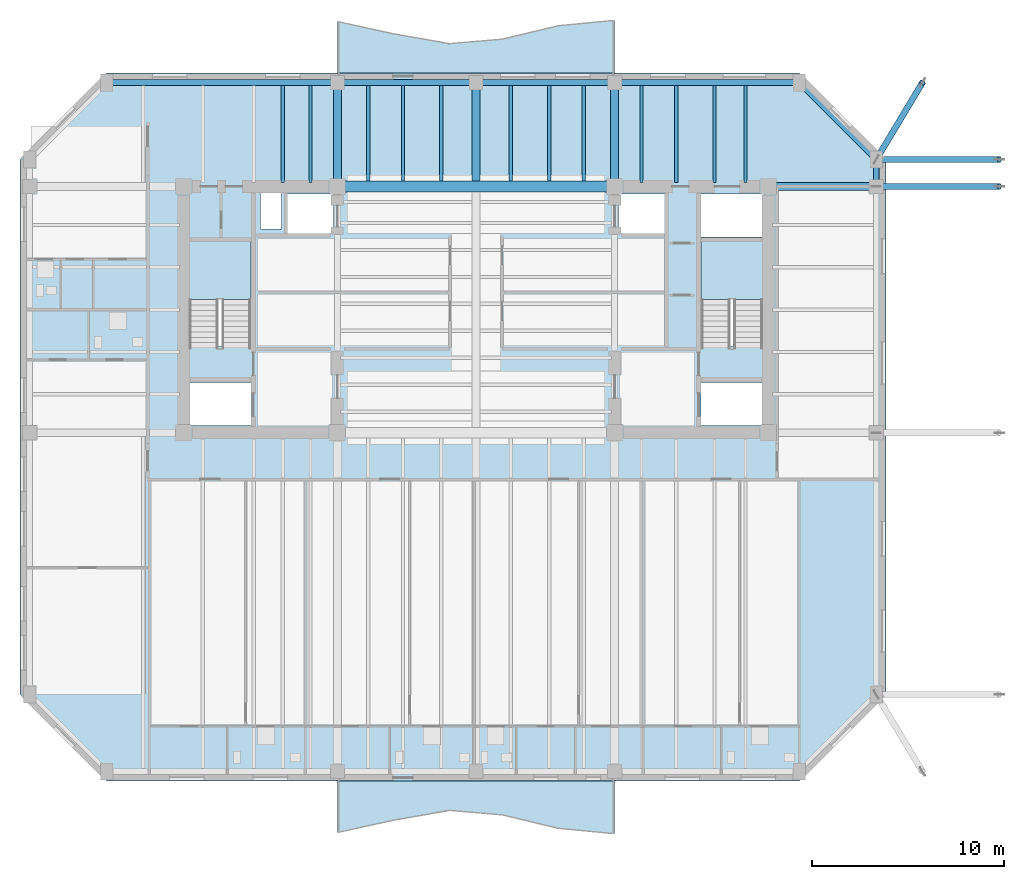
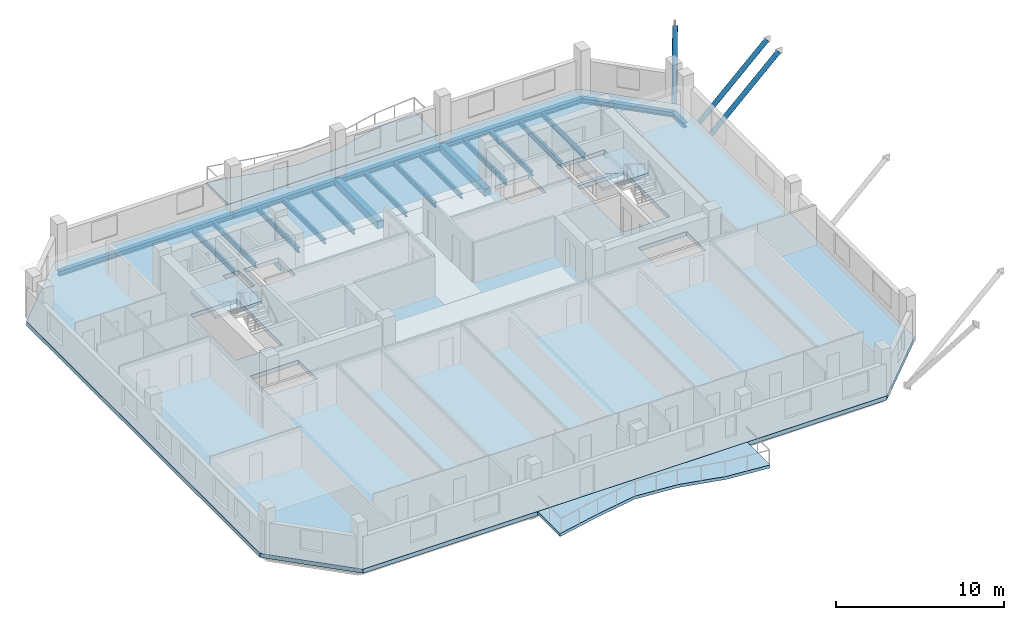
# One storey, part 2 of 12: 23 beams, 5 slabs, 3 members, 2 elements without a shape of their own.
"""IFC4 building model written with IfcOpenShell, lengths in metres."""

from ifc_helpers import new_model, si_unit, direction, frame, origin, origin_2d, place, context, subcontext, project, spatial, polyline, rectangle, hollow_circle, i_section, outline, extrude, material, layer, layer_set, material_profile, profile_set, type_object, element, aggregate, save


model = new_model("IFC4")

# Units and contexts
model_context = context("Model", 3, precision=1e-05, world=origin(), true_north=direction((0.0, 1.0)))
body_context = subcontext(model_context, "Body", "Model", "MODEL_VIEW")
ifc_project = project(units=[si_unit("LENGTHUNIT", "METRE"), si_unit("AREAUNIT", "SQUARE_METRE"), si_unit("VOLUMEUNIT", "CUBIC_METRE"), si_unit("PLANEANGLEUNIT", "RADIAN"), si_unit("MASSUNIT", "GRAM", prefix="KILO")], contexts=[model_context])

# Site, building, storey
site_placement = place(None, origin())
site = spatial("IfcSite", under=ifc_project, at=site_placement, CompositionType="ELEMENT")
building_placement = place(site_placement, origin())
building = spatial("IfcBuilding", under=site, at=building_placement, Name="Kranthara Brick Stack", CompositionType="ELEMENT")
storey_placement = place(building_placement, frame((0.0, 0.0, 224.5)))
storey = spatial("IfcBuildingStorey", under=building, at=storey_placement, Name="L58", CompositionType="ELEMENT", Elevation=224.5)

# Beams
ifc_material_1 = material(Name="Concrete C50/60", Category="concrete")
ifc_material_profile_1 = material_profile(ifc_material_1, rectangle(XDim=0.550048828125, YDim=0.85009765625, at=origin_2d()), Name="RC 550x850")
ifc_profile_set_1 = profile_set([ifc_material_profile_1], Name="Concrete C50/60")
beam_type_1 = type_object("IfcBeamType", Name="BM-CPL-RC850", PredefinedType="LINTEL", material=ifc_profile_set_1)
beam_1_placement = place(storey_placement, frame((20.800048828125, 33.60009765625, -0.72509765625), z_axis=(1.0, 0.0, 0.0), x_axis=(0.0, 1.0, 0.0)))
element("IfcBeam", 1, at=beam_1_placement, inside=storey, type_object=beam_type_1, Name="L58 Core Coupling Beam 002", PredefinedType="LINTEL", context=body_context, shape_type="SweptSolid", body=[
    extrude(rectangle(XDim=0.550048828125, YDim=0.85009765625, at=origin_2d()), origin(), (0.0, 0.0, 1.0), 14.39990234375),
])
ifc_material_2 = material(Name="Post-tensioned concrete C45/55", Category="concrete")
ifc_material_profile_2 = material_profile(ifc_material_2, rectangle(XDim=0.39990234375, YDim=0.550048828125, at=origin_2d()), Name="PT 400x550")
ifc_profile_set_2 = profile_set([ifc_material_profile_2], Name="Post-tensioned concrete C45/55")
beam_type_2 = type_object("IfcBeamType", Name="BM-FLR-PT550", PredefinedType="BEAM", material=ifc_profile_set_2)
beam_2_placement = place(storey_placement, frame((20.800048828125, 33.60009765625, -0.574951171875), z_axis=(0.0, 1.0, 0.0), x_axis=(-1.0, 0.0, 0.0)))
element("IfcBeam", 2, at=beam_2_placement, inside=storey, type_object=beam_type_2, Name="L58 Primary Grid Girder 024", PredefinedType="BEAM", context=body_context, shape_type="SweptSolid", body=[
    extrude(rectangle(XDim=0.39990234375, YDim=0.550048828125, at=origin_2d()), origin(), (0.0, 0.0, 1.0), 5.39990234375),
])
beam_3_placement = place(storey_placement, frame((28.0, 33.875, -0.574951171875), z_axis=(0.0, 1.0, 0.0), x_axis=(-1.0, 0.0, 0.0)))
element("IfcBeam", 3, at=beam_3_placement, inside=storey, type_object=beam_type_2, Name="L58 Primary Grid Girder 027", PredefinedType="BEAM", context=body_context, shape_type="SweptSolid", body=[
    extrude(rectangle(XDim=0.39990234375, YDim=0.550048828125, at=origin_2d()), origin(), (0.0, 0.0, 1.0), 5.125),
])
beam_4_placement = place(storey_placement, frame((35.199951171875, 33.60009765625, -0.574951171875), z_axis=(0.0, 1.0, 0.0), x_axis=(-1.0, 0.0, 0.0)))
element("IfcBeam", 4, at=beam_4_placement, inside=storey, type_object=beam_type_2, Name="L58 Primary Grid Girder 029", PredefinedType="BEAM", context=body_context, shape_type="SweptSolid", body=[
    extrude(rectangle(XDim=0.39990234375, YDim=0.550048828125, at=origin_2d()), origin(), (0.0, 0.0, 1.0), 5.39990234375),
])
beam_5_placement = place(storey_placement, frame((43.199951171875, 33.60009765625, -0.574951171875), z_axis=(1.0, 0.0, 0.0), x_axis=(0.0, 1.0, 0.0)))
element("IfcBeam", 5, at=beam_5_placement, inside=storey, type_object=beam_type_2, Name="L58 Primary Grid Girder 033", PredefinedType="BEAM", context=body_context, shape_type="SweptSolid", body=[
    extrude(rectangle(XDim=0.39990234375, YDim=0.550048828125, at=origin_2d()), origin(), (0.0, 0.0, 1.0), 5.60009765625),
])
ifc_material_3 = material(Name="Steel S355", Category="steel")
ifc_material_profile_3 = material_profile(ifc_material_3, i_section(OverallWidth=0.169921875, OverallDepth=0.360107421875, WebThickness=0.008056640625, FlangeThickness=0.0126953125, at=origin_2d()), Name="IPE 360")
ifc_profile_set_3 = profile_set([ifc_material_profile_3], Name="Steel S355")
beam_type_3 = type_object("IfcBeamType", Name="BM-JST-IPE360", PredefinedType="JOIST", material=ifc_profile_set_3)
for number, where, z_axis, x_axis, name in (
    (6, (17.949951171875, 33.800048828125, -0.47998046875), (0.0, 1.0, 0.0), (-1.0, 0.0, 0.0), "L58 North Wing Floor Joist 059"),
    (7, (19.39990234375, 33.800048828125, -0.47998046875), (0.0, 1.0, 0.0), (-1.0, 0.0, 0.0), "L58 North Wing Floor Joist 061"),
):
    element("IfcBeam", number, at=place(storey_placement, frame(where, z_axis=z_axis, x_axis=x_axis)), inside=storey, type_object=beam_type_3, Name=name, PredefinedType="JOIST", context=body_context, shape_type="SweptSolid", body=[
        extrude(i_section(OverallWidth=0.169921875, OverallDepth=0.360107421875, WebThickness=0.008056640625, FlangeThickness=0.0126953125, at=origin_2d()), origin(), (0.0, 0.0, 1.0), 5.050048828125),
    ])
for number, where, z_axis, x_axis, name in (
    (8, (22.39990234375, 33.875, -0.47998046875), (0.0, 1.0, 0.0), (-1.0, 0.0, 0.0), "L58 North Wing Floor Joist 063"),
    (9, (24.199951171875, 33.875, -0.47998046875), (0.0, 1.0, 0.0), (-1.0, 0.0, 0.0), "L58 North Wing Floor Joist 065"),
    (10, (26.199951171875, 33.875, -0.47998046875), (0.0, 1.0, 0.0), (-1.0, 0.0, 0.0), "L58 North Wing Floor Joist 067"),
    (11, (29.800048828125, 33.875, -0.47998046875), (0.0, 1.0, 0.0), (-1.0, 0.0, 0.0), "L58 North Wing Floor Joist 069"),
    (12, (31.800048828125, 33.875, -0.47998046875), (0.0, 1.0, 0.0), (-1.0, 0.0, 0.0), "L58 North Wing Floor Joist 071"),
    (13, (33.60009765625, 33.875, -0.47998046875), (0.0, 1.0, 0.0), (-1.0, 0.0, 0.0), "L58 North Wing Floor Joist 073"),
):
    element("IfcBeam", number, at=place(storey_placement, frame(where, z_axis=z_axis, x_axis=x_axis)), inside=storey, type_object=beam_type_3, Name=name, PredefinedType="JOIST", context=body_context, shape_type="SweptSolid", body=[
        extrude(i_section(OverallWidth=0.169921875, OverallDepth=0.360107421875, WebThickness=0.008056640625, FlangeThickness=0.0126953125, at=origin_2d()), origin(), (0.0, 0.0, 1.0), 4.97509765625),
    ])
for number, where, z_axis, x_axis, name in (
    (14, (36.60009765625, 33.800048828125, -0.47998046875), (0.0, 1.0, 0.0), (-1.0, 0.0, 0.0), "L58 North Wing Floor Joist 075"),
    (15, (38.39990234375, 33.800048828125, -0.47998046875), (0.0, 1.0, 0.0), (-1.0, 0.0, 0.0), "L58 North Wing Floor Joist 077"),
    (16, (40.39990234375, 33.800048828125, -0.47998046875), (0.0, 1.0, 0.0), (-1.0, 0.0, 0.0), "L58 North Wing Floor Joist 079"),
    (17, (42.0, 33.800048828125, -0.47998046875), (0.0, 1.0, 0.0), (-1.0, 0.0, 0.0), "L58 North Wing Floor Joist 081"),
):
    element("IfcBeam", number, at=place(storey_placement, frame(where, z_axis=z_axis, x_axis=x_axis)), inside=storey, type_object=beam_type_3, Name=name, PredefinedType="JOIST", context=body_context, shape_type="SweptSolid", body=[
        extrude(i_section(OverallWidth=0.169921875, OverallDepth=0.360107421875, WebThickness=0.008056640625, FlangeThickness=0.0126953125, at=origin_2d()), origin(), (0.0, 0.0, 1.0), 5.050048828125),
    ])
ifc_material_4 = material(Name="Steel S355", Category="steel")
ifc_material_profile_4 = material_profile(ifc_material_4, i_section(OverallWidth=0.300048828125, OverallDepth=0.360107421875, WebThickness=0.012451171875, FlangeThickness=0.0224609375, at=origin_2d()), Name="HEB 360")
ifc_profile_set_4 = profile_set([ifc_material_profile_4], Name="Steel S355")
beam_type_4 = type_object("IfcBeamType", Name="BM-STL-HEB360", PredefinedType="SPANDREL", material=ifc_profile_set_4)
beam_6_placement = place(storey_placement, frame((8.800048828125, 39.0, -0.47998046875), z_axis=(1.0, 0.0, 0.0), x_axis=(0.0, 1.0, 0.0)))
element("IfcBeam", 18, at=beam_6_placement, inside=storey, type_object=beam_type_4, Name="L58 Perimeter Spandrel Beam 009", PredefinedType="SPANDREL", context=body_context, shape_type="SweptSolid", body=[
    extrude(i_section(OverallWidth=0.300048828125, OverallDepth=0.360107421875, WebThickness=0.012451171875, FlangeThickness=0.0224609375, at=origin_2d()), origin(), (0.0, 0.0, 1.0), 12.0),
])
for number, where, z_axis, x_axis, name in (
    (19, (20.800048828125, 39.0, -0.47998046875), (1.0, 0.0, 0.0), (0.0, 1.0, 0.0), "L58 Perimeter Spandrel Beam 010"),
    (20, (28.0, 39.0, -0.47998046875), (1.0, 0.0, 0.0), (0.0, 1.0, 0.0), "L58 Perimeter Spandrel Beam 011"),
):
    element("IfcBeam", number, at=place(storey_placement, frame(where, z_axis=z_axis, x_axis=x_axis)), inside=storey, type_object=beam_type_4, Name=name, PredefinedType="SPANDREL", context=body_context, shape_type="SweptSolid", body=[
        extrude(i_section(OverallWidth=0.300048828125, OverallDepth=0.360107421875, WebThickness=0.012451171875, FlangeThickness=0.0224609375, at=origin_2d()), origin(), (0.0, 0.0, 1.0), 7.199951171875),
    ])
beam_7_placement = place(storey_placement, frame((35.199951171875, 39.0, -0.47998046875), z_axis=(1.0, 0.0, 0.0), x_axis=(0.0, 1.0, 0.0)))
element("IfcBeam", 21, at=beam_7_placement, inside=storey, type_object=beam_type_4, Name="L58 Perimeter Spandrel Beam 012", PredefinedType="SPANDREL", context=body_context, shape_type="SweptSolid", body=[
    extrude(i_section(OverallWidth=0.300048828125, OverallDepth=0.360107421875, WebThickness=0.012451171875, FlangeThickness=0.0224609375, at=origin_2d()), origin(), (0.0, 0.0, 1.0), 9.60009765625),
])
beam_8_placement = place(storey_placement, frame((48.800048828125, 33.60009765625, -0.47998046875), z_axis=(0.0, 1.0, 0.0), x_axis=(-1.0, 0.0, 0.0)))
element("IfcBeam", 22, at=beam_8_placement, inside=storey, type_object=beam_type_4, Name="L58 Perimeter Spandrel Beam 018", PredefinedType="SPANDREL", context=body_context, shape_type="SweptSolid", body=[
    extrude(i_section(OverallWidth=0.300048828125, OverallDepth=0.360107421875, WebThickness=0.012451171875, FlangeThickness=0.0224609375, at=origin_2d()), origin(), (0.0, 0.0, 1.0), 1.39990234375),
])
beam_9_placement = place(storey_placement, frame((44.800048828125, 39.0, -0.47998046875), z_axis=(0.707106781187, -0.707106781187, 0.0), x_axis=(0.707106781187, 0.707106781187, 0.0)))
element("IfcBeam", 23, at=beam_9_placement, inside=storey, type_object=beam_type_4, Name="L58 Chamfer Corner Spandrel 022", PredefinedType="SPANDREL", context=body_context, shape_type="SweptSolid", body=[
    extrude(i_section(OverallWidth=0.300048828125, OverallDepth=0.360107421875, WebThickness=0.012451171875, FlangeThickness=0.0224609375, at=origin_2d()), origin(), (0.0, 0.0, 1.0), 5.65673828125),
])

# Members
ifc_material_5 = material(Name="Steel S355", Category="steel")
ifc_material_profile_5 = material_profile(ifc_material_5, hollow_circle(Radius=0.161865234375, WallThickness=0.01611328125, at=origin_2d()), Name="CHS 323.9x16")
ifc_profile_set_5 = profile_set([ifc_material_profile_5], Name="Steel S355")
member_type = type_object("IfcMemberType", Name="MB-STR-CHS324", PredefinedType="STRUT", material=ifc_profile_set_5)
member_placement = place(storey_placement, frame((48.800048828125, 35.0, -3.39990234375), z_axis=(0.314150071943, 0.523604758771, 0.791926631002), x_axis=(-0.857502161653, 0.51448036188, 0.0)))
element("IfcMember", 24, at=member_placement, inside=storey, type_object=member_type, Name="L59 Jenga Raked Transfer Strut 54", PredefinedType="STRUT", context=body_context, shape_type="SweptSolid", body=[
    extrude(hollow_circle(Radius=0.161865234375, WallThickness=0.01611328125, at=origin_2d()), origin(), (0.0, 0.0, 1.0), 7.639404296875),
])
for number, where, z_axis, x_axis, name in (
    (25, (48.800048828125, 33.60009765625, -3.39990234375), (0.726704021772, 0.0, 0.686950700371), (0.0, 1.0, 0.0), "L59 Jenga Raked Transfer Strut 57"),
    (26, (48.800048828125, 35.0, -3.39990234375), (0.726704021772, 0.0, 0.686950700371), (0.0, 1.0, 0.0), "L59 Jenga Raked Transfer Strut 58"),
):
    element("IfcMember", number, at=place(storey_placement, frame(where, z_axis=z_axis, x_axis=x_axis)), inside=storey, type_object=member_type, Name=name, PredefinedType="STRUT", context=body_context, shape_type="SweptSolid", body=[
        extrude(hollow_circle(Radius=0.161865234375, WallThickness=0.01611328125, at=origin_2d()), origin(), (0.0, 0.0, 1.0), 8.806640625),
    ])

# Slabs
ifc_material_6 = material(Name="Concrete C45/55", Category="concrete")
ifc_layer_1 = layer(ifc_material_6, 0.219970703125)
ifc_layer_set_1 = layer_set([ifc_layer_1], Name="Concrete C45/55")
slab_type_1 = type_object("IfcSlabType", Name="SLB-BALC-220", PredefinedType="FLOOR", material=ifc_layer_set_1)
slab_1_placement = place(storey_placement, frame((0.0, 0.0, -0.219970703125)))
element("IfcSlab", 27, at=slab_1_placement, inside=storey, type_object=slab_type_1, Name="L58 South Rippling Balcony Slab", PredefinedType="FLOOR", context=body_context, shape_type="SweptSolid", body=[
    extrude(outline(polyline([(20.800048828125, 2.699951171875), (35.199951171875, 2.699951171875), (35.199951171875, -0.038330078125), (32.320068359375, 0.236083984375), (29.43994140625, 0.936767578125), (26.56005859375, 1.1826171875), (23.679931640625, 0.664306640625), (20.800048828125, 0.03369140625), (20.800048828125, 2.699951171875)])), origin(), (0.0, 0.0, 1.0), 0.219970703125),
])
slab_2_placement = place(storey_placement, frame((0.0, 0.0, -0.219970703125)))
element("IfcSlab", 28, at=slab_2_placement, inside=storey, type_object=slab_type_1, Name="L58 North Rippling Balcony Slab", PredefinedType="FLOOR", context=body_context, shape_type="SweptSolid", body=[
    extrude(outline(polyline([(35.199951171875, 39.5), (20.800048828125, 39.5), (20.800048828125, 42.166259765625), (23.679931640625, 41.53564453125), (26.56005859375, 41.017578125), (29.43994140625, 41.26318359375), (32.320068359375, 41.9638671875), (35.199951171875, 42.238525390625), (35.199951171875, 39.5)])), origin(), (0.0, 0.0, 1.0), 0.219970703125),
])

# Stair, slab
ifc_material_7 = material(Name="Concrete C45/55", Category="concrete")
stair_type = type_object("IfcStairType", Name="ST-CORE-20R", PredefinedType="HALF_TURN_STAIR", material=ifc_material_7)
stair_1_placement = place(storey_placement, origin())
stair_1 = element("IfcStair", 29, at=stair_1_placement, inside=storey, type_object=stair_type, Name="L58 West Core Protected Exit Stair ST01", PredefinedType="HALF_TURN_STAIR")
ifc_material_8 = material(Name="Concrete C45/55", Category="concrete")
ifc_layer_2 = layer(ifc_material_8, 0.199951171875)
ifc_layer_set_2 = layer_set([ifc_layer_2], Name="Concrete C45/55")
slab_type_2 = type_object("IfcSlabType", Name="SLB-LANDING-200", PredefinedType="LANDING", material=ifc_layer_set_2)
slab_3_placement = place(storey_placement, frame((0.0, 0.0, 1.5)))
slab_3 = element("IfcSlab", 30, at=slab_3_placement, type_object=slab_type_2, Name="ST01 landing 1", PredefinedType="LANDING", context=body_context, shape_type="SweptSolid", body=[
    extrude(outline(polyline([(16.300048828125, 27.719970703125), (16.300048828125, 30.75), (13.10009765625, 30.75), (13.10009765625, 27.719970703125), (16.300048828125, 27.719970703125)])), origin(), (0.0, 0.0, 1.0), 0.199951171875),
])
aggregate(stair_1, [slab_3])

stair_2_placement = place(storey_placement, origin())
stair_2 = element("IfcStair", 31, at=stair_2_placement, inside=storey, type_object=stair_type, Name="L58 East Core Protected Exit Stair ST02", PredefinedType="HALF_TURN_STAIR")
slab_4_placement = place(storey_placement, frame((0.0, 0.0, 1.5)))
slab_4 = element("IfcSlab", 32, at=slab_4_placement, type_object=slab_type_2, Name="ST02 landing 1", PredefinedType="LANDING", context=body_context, shape_type="SweptSolid", body=[
    extrude(outline(polyline([(42.89990234375, 27.719970703125), (42.89990234375, 30.75), (39.699951171875, 30.75), (39.699951171875, 27.719970703125), (42.89990234375, 27.719970703125)])), origin(), (0.0, 0.0, 1.0), 0.199951171875),
])
aggregate(stair_2, [slab_4])

# Slab
ifc_material_9 = material(Name="Post-tensioned concrete C45/55", Category="concrete")
ifc_layer_3 = layer(ifc_material_9, 0.300048828125)
ifc_layer_set_3 = layer_set([ifc_layer_3], Name="Post-tensioned concrete C45/55")
slab_type_3 = type_object("IfcSlabType", Name="SLB-TWR-300", PredefinedType="FLOOR", material=ifc_layer_set_3)
slab_5_placement = place(storey_placement, frame((0.0, 0.0, -0.300048828125)))
element("IfcSlab", 33, at=slab_5_placement, inside=storey, type_object=slab_type_3, Name="L58 Structural Floor Plate", PredefinedType="FLOOR", context=body_context, shape_type="SweptSolid", body=[
    extrude(outline(polyline([(8.800048828125, 2.699951171875), (44.800048828125, 2.699951171875), (49.300048828125, 7.199951171875), (49.300048828125, 35.0), (44.800048828125, 39.5), (8.800048828125, 39.5), (4.300048828125, 35.0), (4.300048828125, 7.199951171875), (8.800048828125, 2.699951171875)]), holes=[polyline([(13.10009765625, 25.280029296875), (16.300048828125, 25.280029296875), (16.300048828125, 30.75), (13.10009765625, 30.75), (13.10009765625, 25.280029296875)]), polyline([(39.699951171875, 25.280029296875), (42.89990234375, 25.280029296875), (42.89990234375, 30.75), (39.699951171875, 30.75), (39.699951171875, 25.280029296875)]), polyline([(13.0, 21.179931640625), (16.320068359375, 21.179931640625), (16.320068359375, 23.419921875), (13.0, 23.419921875), (13.0, 21.179931640625)]), polyline([(39.679931640625, 21.179931640625), (43.0, 21.179931640625), (43.0, 23.419921875), (39.679931640625, 23.419921875), (39.679931640625, 21.179931640625)]), polyline([(39.679931640625, 30.97998046875), (43.0, 30.97998046875), (43.0, 33.219970703125), (39.679931640625, 33.219970703125), (39.679931640625, 30.97998046875)]), polyline([(18.199951171875, 31.14990234375), (20.60009765625, 31.14990234375), (20.60009765625, 33.219970703125), (18.199951171875, 33.219970703125), (18.199951171875, 31.14990234375)]), polyline([(35.39990234375, 31.14990234375), (37.800048828125, 31.14990234375), (37.800048828125, 33.219970703125), (35.39990234375, 33.219970703125), (35.39990234375, 31.14990234375)]), polyline([(16.800048828125, 31.39990234375), (17.89990234375, 31.39990234375), (17.89990234375, 33.25), (16.800048828125, 33.25), (16.800048828125, 31.39990234375)])]), origin(), (0.0, 0.0, 1.0), 0.300048828125),
])

save(model, "model.ifc")
